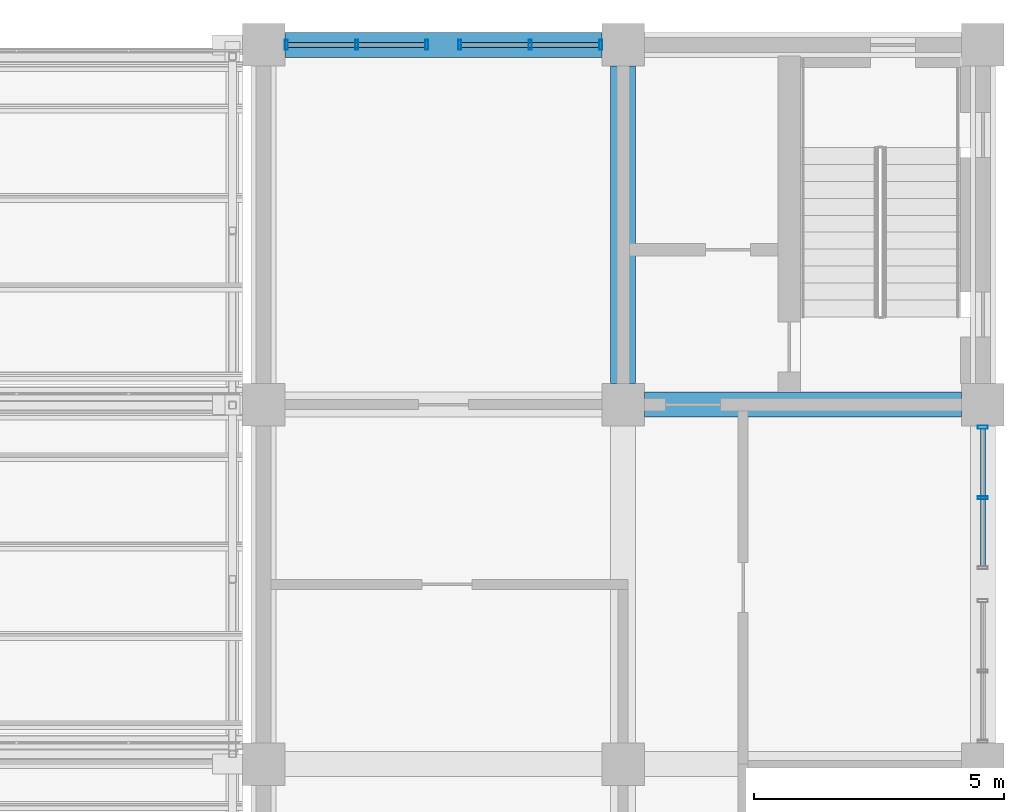
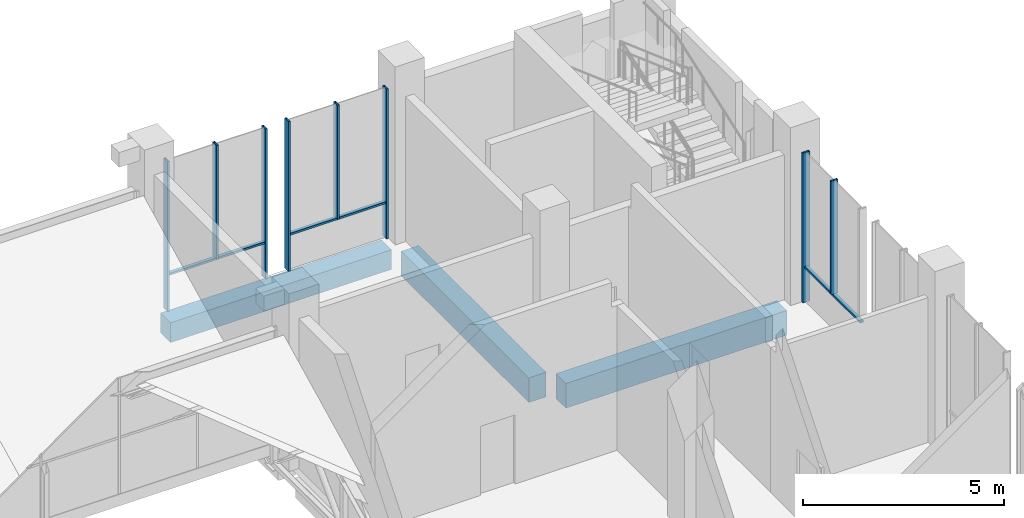
# One storey, part 58 of 83: 11 members, 3 beams, 3 elements without a shape of their own.
"""IFC4 building model written with IfcOpenShell, lengths in metres."""

from ifc_helpers import new_model, si_unit, direction, frame, origin, origin_2d, place, context, subcontext, project, spatial, rectangle, hollow_rectangle, extrude, material, material_profile, profile_set, type_object, element, aggregate, save


model = new_model("IFC4")

# Units and contexts
model_context = context("Model", 3, precision=1e-05, world=origin(), true_north=direction((0.0, 1.0)))
body_context = subcontext(model_context, "Body", "Model", "MODEL_VIEW")
ifc_project = project(units=[si_unit("LENGTHUNIT", "METRE"), si_unit("AREAUNIT", "SQUARE_METRE"), si_unit("VOLUMEUNIT", "CUBIC_METRE"), si_unit("PLANEANGLEUNIT", "RADIAN"), si_unit("MASSUNIT", "GRAM", prefix="KILO")], contexts=[model_context])

# Site, building, storey
site_placement = place(None, origin())
site = spatial("IfcSite", under=ifc_project, at=site_placement, CompositionType="ELEMENT")
building_placement = place(site_placement, origin())
building = spatial("IfcBuilding", under=site, at=building_placement, Name="Silangan Lancet Faculty of Sciences", CompositionType="ELEMENT")
storey_placement = place(building_placement, frame((0.0, 0.0, 11.39990234375)))
storey = spatial("IfcBuildingStorey", under=building, at=storey_placement, Name="L02", CompositionType="ELEMENT", Elevation=11.39990234375)

# Beams
ifc_material_1 = material(Name="Concrete C40/50", Category="concrete")
ifc_material_profile_1 = material_profile(ifc_material_1, rectangle(XDim=0.5, YDim=0.60009765625, at=origin_2d()), Name="RC 500x600")
ifc_profile_set_1 = profile_set([ifc_material_profile_1], Name="Concrete C40/50")
beam_type_1 = type_object("IfcBeamType", Name="BEAM RC 500x600", PredefinedType="BEAM", material=ifc_profile_set_1)
beam_placement = place(storey_placement, frame((72.425048828125, 57.60009765625, -0.5498046875), z_axis=(1.0, 0.0, 0.0), x_axis=(0.0, 1.0, 0.0)))
element("IfcBeam", 1, at=beam_placement, inside=storey, type_object=beam_type_1, Name="BM-L02-11I-12I", PredefinedType="BEAM", context=body_context, shape_type="SweptSolid", body=[
    extrude(rectangle(XDim=0.5, YDim=0.60009765625, at=origin_2d()), origin(), (0.0, 0.0, 1.0), 6.349853515625),
])
ifc_material_2 = material(Name="Concrete C40/50", Category="concrete")
ifc_material_profile_2 = material_profile(ifc_material_2, rectangle(XDim=0.5, YDim=0.75, at=origin_2d()), Name="RC 500x750")
ifc_profile_set_2 = profile_set([ifc_material_profile_2], Name="Concrete C40/50")
beam_type_2 = type_object("IfcBeamType", Name="BEAM RC 500x750", PredefinedType="BEAM", material=ifc_profile_set_2)
for number, where, z_axis, x_axis, name in (
    (2, (79.625, 50.39990234375, -0.625), (1.0, 0.0, 0.0), (0.0, 1.0, 0.0), "BM-L02-12H-13H"),
    (3, (79.199951171875, 50.824951171875, -0.625), (0.0, 1.0, 0.0), (-1.0, 0.0, 0.0), "BM-L02-12H-12I"),
):
    element("IfcBeam", number, at=place(storey_placement, frame(where, z_axis=z_axis, x_axis=x_axis)), inside=storey, type_object=beam_type_2, Name=name, PredefinedType="BEAM", context=body_context, shape_type="SweptSolid", body=[
        extrude(rectangle(XDim=0.5, YDim=0.75, at=origin_2d()), origin(), (0.0, 0.0, 1.0), 6.35009765625),
    ])

# Curtain wall, members
ifc_material_3 = material(Name="Aluminium framed curtain wall with insulated glass", Category="aluminium")
curtain_wall_type = type_object("IfcCurtainWallType", Name="CW1 Commons and east block glazing", PredefinedType="NOTDEFINED", material=ifc_material_3)
curtain_wall_1_placement = place(storey_placement, origin())
curtain_wall_1 = element("IfcCurtainWall", 4, at=curtain_wall_1_placement, inside=storey, type_object=curtain_wall_type, Name="CW1 East commons L02 bay 12", PredefinedType="NOTDEFINED")
ifc_material_4 = material(Name="Aluminium 6063-T6 extrusion", Category="aluminium")
ifc_material_profile_3 = material_profile(ifc_material_4, hollow_rectangle(XDim=0.06005859375, YDim=0.199951171875, WallThickness=0.00390625, at=origin_2d()), Name="AL BOX 60x200x4")
ifc_profile_set_3 = profile_set([ifc_material_profile_3], Name="Aluminium 6063-T6 extrusion")
member_type_1 = type_object("IfcMemberType", Name="CM1 Mullion 60x200", PredefinedType="MULLION", material=ifc_profile_set_3)
member_1_placement = place(storey_placement, frame((86.39990234375, 49.945068359375, 0.0), z_axis=(0.0, 0.0, 1.0), x_axis=(0.0, 1.0, 0.0)))
member_1 = element("IfcMember", 5, at=member_1_placement, type_object=member_type_1, Name="CW1 East commons L02 bay 12 mullion 2", PredefinedType="MULLION", context=body_context, shape_type="SweptSolid", body=[
    extrude(hollow_rectangle(XDim=0.06005859375, YDim=0.199951171875, WallThickness=0.00390625, at=origin_2d()), origin(), (0.0, 0.0, 1.0), 4.550048828125),
])
member_2_placement = place(storey_placement, frame((86.39990234375, 48.53759765625, 1.10009765625), z_axis=(0.0, 0.0, 1.0), x_axis=(0.0, 1.0, 0.0)))
member_2 = element("IfcMember", 6, at=member_2_placement, type_object=member_type_1, Name="CW1 East commons L02 bay 12 mullion 3", PredefinedType="MULLION", context=body_context, shape_type="SweptSolid", body=[
    extrude(hollow_rectangle(XDim=0.06005859375, YDim=0.199951171875, WallThickness=0.00390625, at=origin_2d()), origin(), (0.0, 0.0, 1.0), 3.449951171875),
])

curtain_wall_2_placement = place(storey_placement, origin())
curtain_wall_2 = element("IfcCurtainWall", 7, at=curtain_wall_2_placement, inside=storey, type_object=curtain_wall_type, Name="CW1 East block north L02 bay 1", PredefinedType="NOTDEFINED")
member_3_placement = place(storey_placement, frame((78.7451171875, 57.60009765625, 0.0), z_axis=(0.0, 0.0, 1.0), x_axis=(-1.0, 0.0, 0.0)))
member_3 = element("IfcMember", 8, at=member_3_placement, type_object=member_type_1, Name="CW1 East block north L02 bay 1 mullion 1", PredefinedType="MULLION", context=body_context, shape_type="SweptSolid", body=[
    extrude(hollow_rectangle(XDim=0.06005859375, YDim=0.199951171875, WallThickness=0.00390625, at=origin_2d()), origin(), (0.0, 0.0, 1.0), 4.550048828125),
])
member_4_placement = place(storey_placement, frame((75.93017578125, 57.60009765625, 0.0), z_axis=(0.0, 0.0, 1.0), x_axis=(-1.0, 0.0, 0.0)))
member_4 = element("IfcMember", 9, at=member_4_placement, type_object=member_type_1, Name="CW1 East block north L02 bay 1 mullion 2", PredefinedType="MULLION", context=body_context, shape_type="SweptSolid", body=[
    extrude(hollow_rectangle(XDim=0.06005859375, YDim=0.199951171875, WallThickness=0.00390625, at=origin_2d()), origin(), (0.0, 0.0, 1.0), 4.550048828125),
])
member_5_placement = place(storey_placement, frame((77.337646484375, 57.60009765625, 1.10009765625), z_axis=(0.0, 0.0, 1.0), x_axis=(-1.0, 0.0, 0.0)))
member_5 = element("IfcMember", 10, at=member_5_placement, type_object=member_type_1, Name="CW1 East block north L02 bay 1 mullion 3", PredefinedType="MULLION", context=body_context, shape_type="SweptSolid", body=[
    extrude(hollow_rectangle(XDim=0.06005859375, YDim=0.199951171875, WallThickness=0.00390625, at=origin_2d()), origin(), (0.0, 0.0, 1.0), 3.449951171875),
])

curtain_wall_3_placement = place(storey_placement, origin())
curtain_wall_3 = element("IfcCurtainWall", 11, at=curtain_wall_3_placement, inside=storey, type_object=curtain_wall_type, Name="CW1 East block north L02 bay 2", PredefinedType="NOTDEFINED")
member_6_placement = place(storey_placement, frame((75.27001953125, 57.60009765625, 0.0), z_axis=(0.0, 0.0, 1.0), x_axis=(-1.0, 0.0, 0.0)))
member_6 = element("IfcMember", 12, at=member_6_placement, type_object=member_type_1, Name="CW1 East block north L02 bay 2 mullion 1", PredefinedType="MULLION", context=body_context, shape_type="SweptSolid", body=[
    extrude(hollow_rectangle(XDim=0.06005859375, YDim=0.199951171875, WallThickness=0.00390625, at=origin_2d()), origin(), (0.0, 0.0, 1.0), 4.550048828125),
])
member_7_placement = place(storey_placement, frame((72.455078125, 57.60009765625, 0.0), z_axis=(0.0, 0.0, 1.0), x_axis=(-1.0, 0.0, 0.0)))
member_7 = element("IfcMember", 13, at=member_7_placement, type_object=member_type_1, Name="CW1 East block north L02 bay 2 mullion 2", PredefinedType="MULLION", context=body_context, shape_type="SweptSolid", body=[
    extrude(hollow_rectangle(XDim=0.06005859375, YDim=0.199951171875, WallThickness=0.00390625, at=origin_2d()), origin(), (0.0, 0.0, 1.0), 4.550048828125),
])
member_8_placement = place(storey_placement, frame((73.862548828125, 57.60009765625, 1.10009765625), z_axis=(0.0, 0.0, 1.0), x_axis=(-1.0, 0.0, 0.0)))
member_8 = element("IfcMember", 14, at=member_8_placement, type_object=member_type_1, Name="CW1 East block north L02 bay 2 mullion 3", PredefinedType="MULLION", context=body_context, shape_type="SweptSolid", body=[
    extrude(hollow_rectangle(XDim=0.06005859375, YDim=0.199951171875, WallThickness=0.00390625, at=origin_2d()), origin(), (0.0, 0.0, 1.0), 3.449951171875),
])

# Member
ifc_material_5 = material(Name="Aluminium 6063-T6 extrusion", Category="aluminium")
ifc_material_profile_4 = material_profile(ifc_material_5, hollow_rectangle(XDim=0.10009765625, YDim=0.06005859375, WallThickness=0.0029296875, at=origin_2d()), Name="AL BOX 100x60x3")
ifc_profile_set_4 = profile_set([ifc_material_profile_4], Name="Aluminium 6063-T6 extrusion")
member_type_2 = type_object("IfcMemberType", Name="CT1 Transom 100x60", PredefinedType="USERDEFINED", material=ifc_profile_set_4)
member_9_placement = place(storey_placement, frame((86.39990234375, 47.159912109375, 1.070068359375), z_axis=(0.0, 1.0, 0.0), x_axis=(-1.0, 0.0, 0.0)))
member_9 = element("IfcMember", 15, at=member_9_placement, type_object=member_type_2, Name="CW1 East commons L02 bay 12 transom 1", ObjectType="TRANSOM", PredefinedType="USERDEFINED", context=body_context, shape_type="SweptSolid", body=[
    extrude(hollow_rectangle(XDim=0.10009765625, YDim=0.06005859375, WallThickness=0.0029296875, at=origin_2d()), origin(), (0.0, 0.0, 1.0), 2.755126953125),
])

aggregate(curtain_wall_1, [member_1, member_2, member_9])

member_10_placement = place(storey_placement, frame((78.715087890625, 57.60009765625, 1.070068359375), z_axis=(-1.0, 0.0, 0.0), x_axis=(0.0, -1.0, 0.0)))
member_10 = element("IfcMember", 16, at=member_10_placement, type_object=member_type_2, Name="CW1 East block north L02 bay 1 transom 1", ObjectType="TRANSOM", PredefinedType="USERDEFINED", context=body_context, shape_type="SweptSolid", body=[
    extrude(hollow_rectangle(XDim=0.10009765625, YDim=0.06005859375, WallThickness=0.0029296875, at=origin_2d()), origin(), (0.0, 0.0, 1.0), 2.7548828125),
])

aggregate(curtain_wall_2, [member_3, member_4, member_5, member_10])

member_11_placement = place(storey_placement, frame((75.239990234375, 57.60009765625, 1.070068359375), z_axis=(-1.0, 0.0, 0.0), x_axis=(0.0, -1.0, 0.0)))
member_11 = element("IfcMember", 17, at=member_11_placement, type_object=member_type_2, Name="CW1 East block north L02 bay 2 transom 1", ObjectType="TRANSOM", PredefinedType="USERDEFINED", context=body_context, shape_type="SweptSolid", body=[
    extrude(hollow_rectangle(XDim=0.10009765625, YDim=0.06005859375, WallThickness=0.0029296875, at=origin_2d()), origin(), (0.0, 0.0, 1.0), 2.7548828125),
])

aggregate(curtain_wall_3, [member_6, member_7, member_8, member_11])

save(model, "model.ifc")
